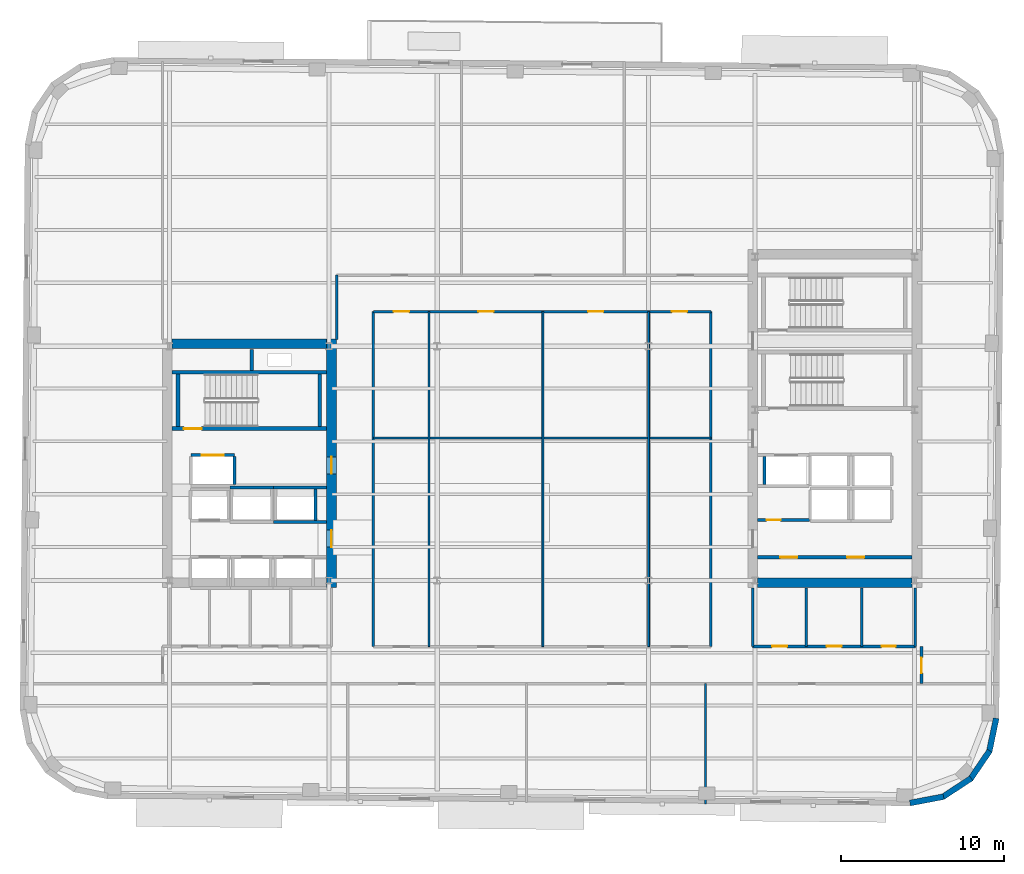
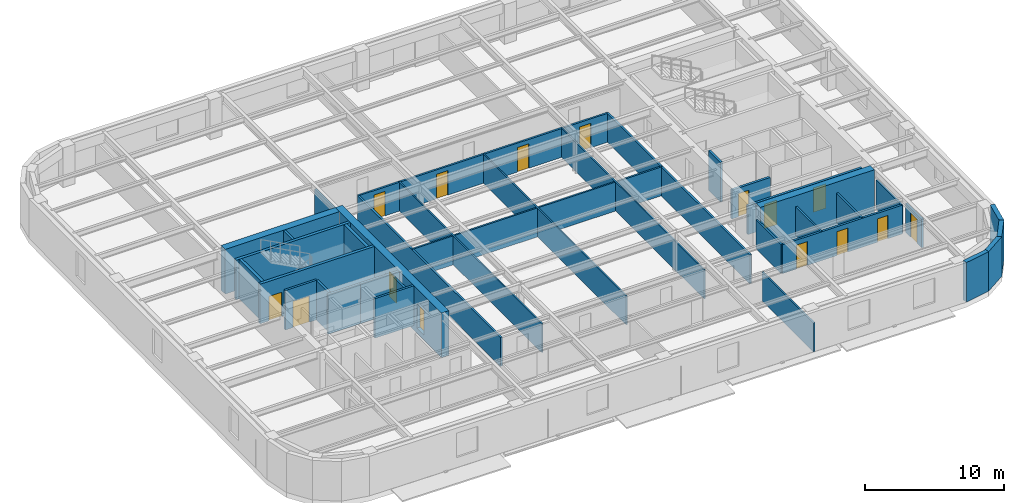
# One storey, part 5 of 11: 36 walls, 15 doors, 15 openings.
"""IFC4 building model written with IfcOpenShell, lengths in metres."""

import ifcopenshell
import ifcopenshell.guid

model = None  # the IFC model being written
_history = None  # IfcOwnerHistory: only IFC2X3 demands one
_inside = {}  # id of a spatial element -> (the spatial element, [elements in it])
_under = {}  # id of a project, library or spatial element -> (it, [spatial elements below it])
_declared = {}  # id of a project -> (the project, [libraries it declares])
_typed = {}  # id of a type object -> (the type object, [elements of that type])
_made_of = {}  # id of a material, layer set ... -> (it, [elements and type objects made of it])


def new_model(schema):
    """Start an empty IFC model of exactly this schema.

    Asked for "IFC4X3", IfcOpenShell would pick the latest addendum, in which some entities
    have other attributes; the version numbers below select the first issue.
    IFC2X3 requires an IfcOwnerHistory on every rooted entity: one is made here for all.
    """
    global model, _history
    if schema == "IFC4X3":
        model = ifcopenshell.file(schema_version=(4, 3, 0, 0))
    else:
        model = ifcopenshell.file(schema=schema)
    _inside.clear()
    _under.clear()
    _declared.clear()
    _typed.clear()
    _made_of.clear()
    _history = None
    if model.schema == "IFC2X3":
        org = make("IfcOrganization", Name="unknown")
        user = make(
            "IfcPersonAndOrganization",
            ThePerson=make("IfcPerson", FamilyName="unknown"),
            TheOrganization=org,
        )
        app = make(
            "IfcApplication",
            ApplicationDeveloper=org,
            Version="unknown",
            ApplicationFullName="unknown",
            ApplicationIdentifier="unknown",
        )
        _history = make(
            "IfcOwnerHistory",
            OwningUser=user,
            OwningApplication=app,
            ChangeAction="ADDED",
            CreationDate=0,
        )
    return model


def make(cls, **values):
    """One entity of the class cls with the attributes given. An attribute that is None is left unset."""
    return model.create_entity(
        cls, **{name: value for name, value in values.items() if value is not None}
    )


def rooted(cls, **values):
    """An entity with a GlobalId (a new one), such as an element, a storey or a relation."""
    return make(cls, GlobalId=ifcopenshell.guid.new(), OwnerHistory=_history, **values)


def si_unit(unit_type, name, prefix=None):
    """IfcSIUnit, for example si_unit("LENGTHUNIT", "METRE", prefix="MILLI")."""
    return make("IfcSIUnit", UnitType=unit_type, Prefix=prefix, Name=name)


def assignment(units):
    """IfcUnitAssignment: the units of a project."""
    return None if units is None else make("IfcUnitAssignment", Units=units)


def point(xyz):
    """IfcCartesianPoint."""
    return None if xyz is None else make("IfcCartesianPoint", Coordinates=xyz)


def direction(xyz):
    """IfcDirection."""
    return None if xyz is None else make("IfcDirection", DirectionRatios=xyz)


def frame(location, z_axis=None, x_axis=None):
    """IfcAxis2Placement3D, a coordinate frame: its origin and axes. An axis left out is left unset."""
    return make(
        "IfcAxis2Placement3D",
        Location=point(location),
        Axis=direction(z_axis),
        RefDirection=direction(x_axis),
    )


def frame_2d(location, x_axis=None):
    """IfcAxis2Placement2D, a coordinate frame in the plane: its origin and x axis."""
    return make(
        "IfcAxis2Placement2D", Location=point(location), RefDirection=direction(x_axis)
    )


def origin():
    """The frame at (0, 0, 0) with its axes left unset."""
    return frame((0.0, 0.0, 0.0))


def place(relative_to, where):
    """IfcLocalPlacement: puts the frame where relative to a parent placement (None: the world)."""
    return make(
        "IfcLocalPlacement", PlacementRelTo=relative_to, RelativePlacement=where
    )


def context(
    kind, dimensions, precision=None, world=None, true_north=None, identifier=None
):
    """IfcGeometricRepresentationContext, for example the 3D "Model" context."""
    return make(
        "IfcGeometricRepresentationContext",
        ContextIdentifier=identifier,
        ContextType=kind,
        CoordinateSpaceDimension=dimensions,
        Precision=precision,
        WorldCoordinateSystem=world,
        TrueNorth=true_north,
    )


def subcontext(parent, identifier, kind, view, scale=None):
    """IfcGeometricRepresentationSubContext, for example "Body" below "Model"."""
    return make(
        "IfcGeometricRepresentationSubContext",
        ContextIdentifier=identifier,
        ContextType=kind,
        ParentContext=parent,
        TargetScale=scale,
        TargetView=view,
    )


def project(units=None, contexts=None):
    """IfcProject with its units and contexts."""
    return rooted(
        "IfcProject",
        Name="project",
        RepresentationContexts=contexts,
        UnitsInContext=assignment(units),
    )


def spatial(cls, under=None, at=None, **own):
    """A site, building, storey or space (cls), placed at a placement, below another one or the project."""
    s = rooted(cls, ObjectPlacement=at, **own)
    if under is not None:
        _under.setdefault(under.id(), (under, []))[1].append(s)
    return s


def profile(cls, at=None, kind="AREA", **sizes):
    """A parametric profile (cls). Its sizes go by their IFC names, for example OverallWidth=200.0."""
    return make(cls, ProfileType=kind, Position=at, **sizes)


def rectangle(**sizes):
    """IfcRectangleProfileDef."""
    return profile("IfcRectangleProfileDef", **sizes)


def extrude(swept, where, along, depth):
    """IfcExtrudedAreaSolid: the profile swept, set in the frame where, extruded along a direction by depth."""
    return make(
        "IfcExtrudedAreaSolid",
        SweptArea=swept,
        Position=where,
        ExtrudedDirection=direction(along),
        Depth=depth,
    )


def shape(context_of_items, identifier, shape_type, items):
    """IfcShapeRepresentation: the items that make up one representation, for example the "Body"."""
    return make(
        "IfcShapeRepresentation",
        ContextOfItems=context_of_items,
        RepresentationIdentifier=identifier,
        RepresentationType=shape_type,
        Items=items,
    )


def material(Name=None, Category=None):
    """IfcMaterial."""
    return make("IfcMaterial", Name=Name, Category=Category)


def layer(
    of_material, thickness, ventilated=None, Name=None, Category=None, Priority=None
):
    """IfcMaterialLayer: one layer of a wall or slab, of a material (None: an air gap)."""
    return make(
        "IfcMaterialLayer",
        Material=of_material,
        LayerThickness=thickness,
        IsVentilated=ventilated,
        Name=Name,
        Category=Category,
        Priority=Priority,
    )


def layer_set(layers, Name=None):
    """IfcMaterialLayerSet."""
    return make("IfcMaterialLayerSet", MaterialLayers=layers, LayerSetName=Name)


def made_of(thing, what):
    """Note that an element or type object is made of a material, layer set ...; save() writes the relation."""
    if what is not None:
        _made_of.setdefault(what.id(), (what, []))[1].append(thing)
    return thing


def type_object(cls, material=None, **own):
    """A type object (cls), such as IfcWallType, which elements share."""
    return made_of(rooted(cls, **own), material)


def element(
    cls,
    number,
    at=None,
    inside=None,
    cuts=None,
    type_object=None,
    material=None,
    context=None,
    identifier="Body",
    shape_type=None,
    held_by="IfcProductDefinitionShape",
    body=None,
    shapes=None,
    **own,
):
    """One element of the class cls, such as IfcWall. Its Tag is "e" and its number.

    at: its placement. inside: the storey or other place that contains it. cuts: it is an
    opening in that element (IfcRelVoidsElement). A single representation is given by context,
    identifier, shape_type and body (its items); several are given by shapes. held_by: the class
    of the entity that holds the representations. save() writes the other relations.
    """
    e = rooted(cls, Tag="e%d" % number, ObjectPlacement=at, **own)
    if body is not None:
        shapes = [shape(context, identifier, shape_type, body)]
    if shapes is not None:
        e.Representation = make(held_by, Representations=shapes)
    if inside is not None:
        _inside.setdefault(inside.id(), (inside, []))[1].append(e)
    if cuts is not None:
        rooted(
            "IfcRelVoidsElement", RelatingBuildingElement=cuts, RelatedOpeningElement=e
        )
    if type_object is not None:
        _typed.setdefault(type_object.id(), (type_object, []))[1].append(e)
    return made_of(e, material)


def fill(opening, filler):
    """IfcRelFillsElement: the door or window that sits in an opening."""
    return rooted(
        "IfcRelFillsElement",
        RelatingOpeningElement=opening,
        RelatedBuildingElement=filler,
    )


def aggregate(whole, parts):
    """IfcRelAggregates: a whole, such as a stair, and the parts it consists of."""
    return rooted("IfcRelAggregates", RelatingObject=whole, RelatedObjects=parts)


def save(model, path):
    """Write the relations noted so far, then the file.

    IfcRelAggregates (storeys below a building ...), IfcRelContainedInSpatialStructure (elements
    in a storey), IfcRelDefinesByType, IfcRelAssociatesMaterial and IfcRelDeclares: one each for
    every whole, place, type object, material and project.
    """
    for whole, parts in _under.values():
        aggregate(whole, parts)
    for where, things in _inside.values():
        rooted(
            "IfcRelContainedInSpatialStructure",
            RelatedElements=things,
            RelatingStructure=where,
        )
    for kind, things in _typed.values():
        rooted("IfcRelDefinesByType", RelatedObjects=things, RelatingType=kind)
    for what, things in _made_of.values():
        rooted("IfcRelAssociatesMaterial", RelatedObjects=things, RelatingMaterial=what)
    for by, libraries in _declared.values():
        rooted("IfcRelDeclares", RelatingContext=by, RelatedDefinitions=libraries)
    model.write(path)


model = new_model("IFC4")

# Units and contexts
model_context = context("Model", 3, precision=1e-05, world=origin(), true_north=direction((0.0, 1.0)))
body_context = subcontext(model_context, "Body", "Model", "MODEL_VIEW")
ifc_project = project(units=[si_unit("LENGTHUNIT", "METRE"), si_unit("AREAUNIT", "SQUARE_METRE"), si_unit("VOLUMEUNIT", "CUBIC_METRE"), si_unit("PLANEANGLEUNIT", "RADIAN"), si_unit("MASSUNIT", "GRAM", prefix="KILO")], contexts=[model_context])

# Site, building, storey
site_placement = place(None, origin())
site = spatial("IfcSite", under=ifc_project, at=site_placement, CompositionType="ELEMENT")
building_placement = place(site_placement, origin())
building = spatial("IfcBuilding", under=site, at=building_placement, Name="Kolvaren Arena Tower", CompositionType="ELEMENT")
storey_placement = place(building_placement, frame((0.0, 0.0, 158.449951171875)))
storey = spatial("IfcBuildingStorey", under=building, at=storey_placement, Name="L37", CompositionType="ELEMENT", Elevation=158.449951171875)

# Wall
ifc_material_1 = material(Name="Gypsum board acoustic assembly", Category="gypsum")
ifc_layer_1 = layer(ifc_material_1, 0.159912109375)
ifc_layer_set_1 = layer_set([ifc_layer_1], Name="Gypsum board acoustic assembly")
wall_type_1 = type_object("IfcWallType", Name="CORR-160", PredefinedType="PARTITIONING", material=ifc_layer_set_1)
wall_1_placement = place(storey_placement, frame((24.820068359375, 34.25, 0.0), z_axis=(0.0, 0.0, 1.0), x_axis=(0.0, 1.0, 0.0)))
element("IfcWall", 1, at=wall_1_placement, inside=storey, type_object=wall_type_1, Name="Interior Partition Wall (L37)", PredefinedType="PARTITIONING", context=body_context, shape_type="SweptSolid", body=[
    extrude(rectangle(XDim=3.969970703125, YDim=0.159912109375, at=frame_2d((1.98486328125, 0.0))), origin(), (0.0, 0.0, 1.0), 2.5400390625),
])

# Wall, openings, doors
wall_2_placement = place(storey_placement, frame((27.080078125, 35.97998046875, 0.0), z_axis=(0.0, 0.0, 1.0), x_axis=(1.0, 0.0, 0.0)))
wall_2 = element("IfcWall", 2, at=wall_2_placement, inside=storey, type_object=wall_type_1, Name="Interior Partition Wall (L37)", PredefinedType="PARTITIONING", context=body_context, shape_type="SweptSolid", body=[
    extrude(rectangle(XDim=20.739990234375, YDim=0.159912109375, at=frame_2d((10.3701171875, 0.0))), origin(), (0.0, 0.0, 1.0), 2.5400390625),
])
opening_1_placement = place(wall_2_placement, frame((1.2451171875, 0.0, 0.0)))
opening_1 = element("IfcOpeningElement", 3, at=opening_1_placement, cuts=wall_2, Name="Opening D05", PredefinedType="OPENING", context=body_context, shape_type="SweptSolid", body=[
    extrude(rectangle(XDim=0.949951171875, YDim=2.14990234375, at=frame_2d((0.47509765625, 1.074951171875))), frame((0.0, 0.08984375, 0.0), z_axis=(0.0, -1.0, 0.0), x_axis=(1.0, 0.0, 0.0)), (0.0, 0.0, 1.0), 0.179931640625),
])
opening_2_placement = place(wall_2_placement, frame((6.445068359375, 0.0, 0.0)))
opening_2 = element("IfcOpeningElement", 4, at=opening_2_placement, cuts=wall_2, Name="Opening D05", PredefinedType="OPENING", context=body_context, shape_type="SweptSolid", body=[
    extrude(rectangle(XDim=0.949951171875, YDim=2.14990234375, at=frame_2d((0.47509765625, 1.074951171875))), frame((0.0, 0.08984375, 0.0), z_axis=(0.0, -1.0, 0.0), x_axis=(1.0, 0.0, 0.0)), (0.0, 0.0, 1.0), 0.179931640625),
])
opening_3_placement = place(wall_2_placement, frame((13.195068359375, 0.0, 0.0)))
opening_3 = element("IfcOpeningElement", 5, at=opening_3_placement, cuts=wall_2, Name="Opening D05", PredefinedType="OPENING", context=body_context, shape_type="SweptSolid", body=[
    extrude(rectangle(XDim=0.949951171875, YDim=2.14990234375, at=frame_2d((0.47509765625, 1.074951171875))), frame((0.0, 0.08984375, 0.0), z_axis=(0.0, -1.0, 0.0), x_axis=(1.0, 0.0, 0.0)), (0.0, 0.0, 1.0), 0.179931640625),
])
opening_4_placement = place(wall_2_placement, frame((18.344970703125, 0.0, 0.0)))
opening_4 = element("IfcOpeningElement", 6, at=opening_4_placement, cuts=wall_2, Name="Opening D05", PredefinedType="OPENING", context=body_context, shape_type="SweptSolid", body=[
    extrude(rectangle(XDim=0.949951171875, YDim=2.14990234375, at=frame_2d((0.47509765625, 1.074951171875))), frame((0.0, 0.08984375, 0.0), z_axis=(0.0, -1.0, 0.0), x_axis=(1.0, 0.0, 0.0)), (0.0, 0.0, 1.0), 0.179931640625),
])
ifc_material_2 = material(Name="Solid-core oak acoustic office door", Category="wood")
door_type_1 = type_object("IfcDoorType", Name="DOOR-OF-095", OperationType="NOTDEFINED", PredefinedType="DOOR", material=ifc_material_2)
door_1_placement = place(opening_1_placement, origin())
door_1 = element("IfcDoor", 7, at=door_1_placement, inside=storey, type_object=door_type_1, Name="Open Plan Office Door (L37)", OperationType="SINGLE_SWING_RIGHT", OverallHeight=2.14990234375, OverallWidth=0.949951171875, PredefinedType="DOOR", context=body_context, shape_type="SweptSolid", body=[
    extrude(rectangle(XDim=0.949951171875, YDim=2.14990234375, at=frame_2d((0.47509765625, 1.074951171875))), frame((0.0, 0.02490234375, 0.0), z_axis=(0.0, -1.0, 0.0), x_axis=(1.0, 0.0, 0.0)), (0.0, 0.0, 1.0), 0.050048828125),
])
fill(opening_1, door_1)
door_2_placement = place(opening_2_placement, origin())
door_2 = element("IfcDoor", 8, at=door_2_placement, inside=storey, type_object=door_type_1, Name="Design Studio Door (L37)", OperationType="SINGLE_SWING_RIGHT", OverallHeight=2.14990234375, OverallWidth=0.949951171875, PredefinedType="DOOR", context=body_context, shape_type="SweptSolid", body=[
    extrude(rectangle(XDim=0.949951171875, YDim=2.14990234375, at=frame_2d((0.47509765625, 1.074951171875))), frame((0.0, 0.02490234375, 0.0), z_axis=(0.0, -1.0, 0.0), x_axis=(1.0, 0.0, 0.0)), (0.0, 0.0, 1.0), 0.050048828125),
])
fill(opening_2, door_2)
door_3_placement = place(opening_3_placement, origin())
door_3 = element("IfcDoor", 9, at=door_3_placement, inside=storey, type_object=door_type_1, Name="Breakout Pantry and Kitchen Door (L37)", OperationType="SINGLE_SWING_RIGHT", OverallHeight=2.14990234375, OverallWidth=0.949951171875, PredefinedType="DOOR", context=body_context, shape_type="SweptSolid", body=[
    extrude(rectangle(XDim=0.949951171875, YDim=2.14990234375, at=frame_2d((0.47509765625, 1.074951171875))), frame((0.0, 0.02490234375, 0.0), z_axis=(0.0, -1.0, 0.0), x_axis=(1.0, 0.0, 0.0)), (0.0, 0.0, 1.0), 0.050048828125),
])
fill(opening_3, door_3)
door_4_placement = place(opening_4_placement, origin())
door_4 = element("IfcDoor", 10, at=door_4_placement, inside=storey, type_object=door_type_1, Name="Open Plan Office Door (L37)", OperationType="SINGLE_SWING_RIGHT", OverallHeight=2.14990234375, OverallWidth=0.949951171875, PredefinedType="DOOR", context=body_context, shape_type="SweptSolid", body=[
    extrude(rectangle(XDim=0.949951171875, YDim=2.14990234375, at=frame_2d((0.47509765625, 1.074951171875))), frame((0.0, 0.02490234375, 0.0), z_axis=(0.0, -1.0, 0.0), x_axis=(1.0, 0.0, 0.0)), (0.0, 0.0, 1.0), 0.050048828125),
])
fill(opening_4, door_4)

# Walls
for number, where, z_axis, x_axis, name in (
    (11, (27.080078125, 15.3798828125, 0.0), (0.0, 0.0, 1.0), (0.0, 1.0, 0.0), "Interior Partition Wall (L37)"),
    (12, (47.820068359375, 15.3798828125, 0.0), (0.0, 0.0, 1.0), (0.0, 1.0, 0.0), "Interior Partition Wall (L37)"),
):
    element("IfcWall", number, at=place(storey_placement, frame(where, z_axis=z_axis, x_axis=x_axis)), inside=storey, type_object=wall_type_1, Name=name, PredefinedType="PARTITIONING", context=body_context, shape_type="SweptSolid", body=[
        extrude(rectangle(XDim=20.60009765625, YDim=0.159912109375, at=frame_2d((10.300048828125, 0.0))), origin(), (0.0, 0.0, 1.0), 2.5400390625),
    ])

# Wall, opening, door
wall_3_placement = place(storey_placement, frame((60.780029296875, 13.10009765625, 0.0), z_axis=(0.0, 0.0, 1.0), x_axis=(0.0, 1.0, 0.0)))
wall_3 = element("IfcWall", 13, at=wall_3_placement, inside=storey, type_object=wall_type_1, Name="Interior Partition Wall (L37)", PredefinedType="PARTITIONING", context=body_context, shape_type="SweptSolid", body=[
    extrude(rectangle(XDim=2.2998046875, YDim=0.159912109375, at=frame_2d((1.14990234375, 0.0))), origin(), (0.0, 0.0, 1.0), 2.5400390625),
])
opening_5_placement = place(wall_3_placement, frame((0.64990234375, 0.0, 0.0)))
opening_5 = element("IfcOpeningElement", 14, at=opening_5_placement, cuts=wall_3, Name="Opening D05", PredefinedType="OPENING", context=body_context, shape_type="SweptSolid", body=[
    extrude(rectangle(XDim=0.949951171875, YDim=2.14990234375, at=frame_2d((0.47509765625, 1.074951171875))), frame((0.0, 0.08984375, 0.0), z_axis=(0.0, -1.0, 0.0), x_axis=(1.0, 0.0, 0.0)), (0.0, 0.0, 1.0), 0.179931640625),
])
door_5_placement = place(opening_5_placement, origin())
door_5 = element("IfcDoor", 15, at=door_5_placement, inside=storey, type_object=door_type_1, Name="East Wing Studio Door (L37)", OperationType="SINGLE_SWING_RIGHT", OverallHeight=2.14990234375, OverallWidth=0.949951171875, PredefinedType="DOOR", context=body_context, shape_type="SweptSolid", body=[
    extrude(rectangle(XDim=0.949951171875, YDim=2.14990234375, at=frame_2d((0.47509765625, 1.074951171875))), frame((0.0, 0.02490234375, 0.0), z_axis=(0.0, -1.0, 0.0), x_axis=(1.0, 0.0, 0.0)), (0.0, 0.0, 1.0), 0.050048828125),
])
fill(opening_5, door_5)

# Wall, openings, doors
ifc_material_3 = material(Name="Concrete 60 MPa", Category="concrete")
ifc_layer_2 = layer(ifc_material_3, 0.60009765625)
ifc_layer_set_2 = layer_set([ifc_layer_2], Name="Concrete 60 MPa")
wall_type_2 = type_object("IfcWallType", Name="CWALL-600", PredefinedType="SHEAR", material=ifc_layer_set_2)
wall_4_placement = place(storey_placement, frame((24.5, 19.0, -0.449951171875), z_axis=(0.0, 0.0, 1.0), x_axis=(0.0, 1.0, 0.0)))
wall_4 = element("IfcWall", 16, at=wall_4_placement, inside=storey, type_object=wall_type_2, Name="Core Shear Wall WC-EAST (L37)", PredefinedType="SHEAR", context=body_context, shape_type="SweptSolid", body=[
    extrude(rectangle(XDim=15.300048828125, YDim=0.60009765625, at=frame_2d((7.64990234375, 0.0))), origin(), (0.0, 0.0, 1.0), 3.929931640625),
])
opening_6_placement = place(wall_4_placement, frame((2.5, 0.0, 0.449951171875)))
opening_6 = element("IfcOpeningElement", 17, at=opening_6_placement, cuts=wall_4, Name="Opening D04", PredefinedType="OPENING", context=body_context, shape_type="SweptSolid", body=[
    extrude(rectangle(XDim=1.050048828125, YDim=2.14990234375, at=frame_2d((0.52490234375, 1.074951171875))), frame((0.0, 0.31005859375, 0.0), z_axis=(0.0, -1.0, 0.0), x_axis=(1.0, 0.0, 0.0)), (0.0, 0.0, 1.0), 0.6201171875),
])
opening_7_placement = place(wall_4_placement, frame((7.0, 0.0, 0.449951171875)))
opening_7 = element("IfcOpeningElement", 18, at=opening_7_placement, cuts=wall_4, Name="Opening D04", PredefinedType="OPENING", context=body_context, shape_type="SweptSolid", body=[
    extrude(rectangle(XDim=1.050048828125, YDim=2.14990234375, at=frame_2d((0.52490234375, 1.074951171875))), frame((0.0, 0.31005859375, 0.0), z_axis=(0.0, -1.0, 0.0), x_axis=(1.0, 0.0, 0.0)), (0.0, 0.0, 1.0), 0.6201171875),
])
ifc_material_4 = material(Name="Fire-rated steel lobby door", Category="steel")
door_type_2 = type_object("IfcDoorType", Name="DOOR-FF-105", OperationType="NOTDEFINED", PredefinedType="DOOR", material=ifc_material_4)
door_6_placement = place(opening_6_placement, origin())
door_6 = element("IfcDoor", 19, at=door_6_placement, inside=storey, type_object=door_type_2, Name="West Lift Lobby Fire Door (L37)", OperationType="SINGLE_SWING_LEFT", OverallHeight=2.14990234375, OverallWidth=1.050048828125, PredefinedType="DOOR", context=body_context, shape_type="SweptSolid", body=[
    extrude(rectangle(XDim=1.050048828125, YDim=2.14990234375, at=frame_2d((0.52490234375, 1.074951171875))), frame((0.0, 0.02490234375, 0.0), z_axis=(0.0, -1.0, 0.0), x_axis=(1.0, 0.0, 0.0)), (0.0, 0.0, 1.0), 0.050048828125),
])
fill(opening_6, door_6)
door_7_placement = place(opening_7_placement, origin())
door_7 = element("IfcDoor", 20, at=door_7_placement, inside=storey, type_object=door_type_2, Name="West Firefighter Vestibule Door (L37)", OperationType="SINGLE_SWING_RIGHT", OverallHeight=2.14990234375, OverallWidth=1.050048828125, PredefinedType="DOOR", context=body_context, shape_type="SweptSolid", body=[
    extrude(rectangle(XDim=1.050048828125, YDim=2.14990234375, at=frame_2d((0.52490234375, 1.074951171875))), frame((0.0, 0.02490234375, 0.0), z_axis=(0.0, -1.0, 0.0), x_axis=(1.0, 0.0, 0.0)), (0.0, 0.0, 1.0), 0.050048828125),
])
fill(opening_7, door_7)

# Walls
for number, where, z_axis, x_axis, name in (
    (21, (14.699951171875, 34.0, -0.449951171875), (0.0, 0.0, 1.0), (1.0, 0.0, 0.0), "Core Shear Wall WC-NORTH (L37)"),
    (22, (50.699951171875, 19.300048828125, -0.449951171875), (0.0, 0.0, 1.0), (1.0, 0.0, 0.0), "Core Shear Wall EC-SOUTH (L37)"),
):
    element("IfcWall", number, at=place(storey_placement, frame(where, z_axis=z_axis, x_axis=x_axis)), inside=storey, type_object=wall_type_2, Name=name, PredefinedType="SHEAR", context=body_context, shape_type="SweptSolid", body=[
        extrude(rectangle(XDim=9.5, YDim=0.60009765625, at=frame_2d((4.75, 0.0))), origin(), (0.0, 0.0, 1.0), 3.929931640625),
    ])
ifc_material_5 = material(Name="Precast concrete C50/60", Category="concrete")
ifc_layer_3 = layer(ifc_material_5, 0.360107421875)
ifc_layer_set_3 = layer_set([ifc_layer_3], Name="Precast concrete C50/60")
wall_type_3 = type_object("IfcWallType", Name="EXT-PIER2", PredefinedType="SOLIDWALL", material=ifc_layer_set_3)
wall_5_placement = place(storey_placement, frame((62.136474609375, 6.155029296875, 0.0), z_axis=(0.0, 0.0, 1.0), x_axis=(-0.98246713518, -0.186435855703, 0.0)))
element("IfcWall", 23, at=wall_5_placement, inside=storey, type_object=wall_type_3, Name="Exterior Precast Masonry-Frame Wall (L37)", PredefinedType="SOLIDWALL", context=body_context, shape_type="SweptSolid", body=[
    extrude(rectangle(XDim=2.10693359375, YDim=0.360107421875, at=frame_2d((1.053466796875, 0.0))), origin(), (0.0, 0.0, 1.0), 3.47998046875),
])
wall_6_placement = place(storey_placement, frame((63.83349609375, 7.2841796875, 0.0), z_axis=(0.0, 0.0, 1.0), x_axis=(-0.836303589916, -0.548266637224, 0.0)))
element("IfcWall", 24, at=wall_6_placement, inside=storey, type_object=wall_type_3, Name="Exterior Precast Masonry-Frame Wall (L37)", PredefinedType="SOLIDWALL", context=body_context, shape_type="SweptSolid", body=[
    extrude(rectangle(XDim=2.107177734375, YDim=0.360107421875, at=frame_2d((1.0537109375, 0.0))), origin(), (0.0, 0.0, 1.0), 3.47998046875),
])
for number, where, z_axis, x_axis, name in (
    (25, (64.968994140625, 8.9765625, 0.0), (0.0, 0.0, 1.0), (-0.56277581689, -0.826609569219, 0.0), "Exterior Precast Masonry-Frame Wall (L37)"),
    (26, (65.370849609375, 10.974609375, 0.0), (0.0, 0.0, 1.0), (-0.203709000552, -0.979031482177, 0.0), "Exterior Precast Masonry-Frame Wall (L37)"),
):
    element("IfcWall", number, at=place(storey_placement, frame(where, z_axis=z_axis, x_axis=x_axis)), inside=storey, type_object=wall_type_3, Name=name, PredefinedType="SOLIDWALL", context=body_context, shape_type="SweptSolid", body=[
        extrude(rectangle(XDim=2.10693359375, YDim=0.360107421875, at=frame_2d((1.053466796875, 0.0))), origin(), (0.0, 0.0, 1.0), 3.47998046875),
    ])

# Wall, openings, doors
ifc_material_6 = material(Name="Concrete 40 MPa", Category="concrete")
ifc_layer_4 = layer(ifc_material_6, 0.199951171875)
ifc_layer_set_4 = layer_set([ifc_layer_4], Name="Concrete 40 MPa")
wall_type_4 = type_object("IfcWallType", Name="LOBBY-200", PredefinedType="SOLIDWALL", material=ifc_layer_set_4)
wall_7_placement = place(storey_placement, frame((50.699951171875, 20.8798828125, 0.0), z_axis=(0.0, 0.0, 1.0), x_axis=(1.0, 0.0, 0.0)))
wall_7 = element("IfcWall", 27, at=wall_7_placement, inside=storey, type_object=wall_type_4, Name="Core Shaft Wall (L37)", PredefinedType="SOLIDWALL", context=body_context, shape_type="SweptSolid", body=[
    extrude(rectangle(XDim=9.5, YDim=0.199951171875, at=frame_2d((4.75, 0.0))), origin(), (0.0, 0.0, 1.0), 2.5400390625),
])
opening_8_placement = place(wall_7_placement, frame((1.39990234375, 0.0, 0.0)))
opening_8 = element("IfcOpeningElement", 28, at=opening_8_placement, cuts=wall_7, Name="Opening D04", PredefinedType="OPENING", context=body_context, shape_type="SweptSolid", body=[
    extrude(rectangle(XDim=1.050048828125, YDim=2.14990234375, at=frame_2d((0.52490234375, 1.074951171875))), frame((0.0, 0.10986328125, 0.0), z_axis=(0.0, -1.0, 0.0), x_axis=(1.0, 0.0, 0.0)), (0.0, 0.0, 1.0), 0.219970703125),
])
opening_9_placement = place(wall_7_placement, frame((5.5, 0.0, 0.0)))
opening_9 = element("IfcOpeningElement", 29, at=opening_9_placement, cuts=wall_7, Name="Opening D04", PredefinedType="OPENING", context=body_context, shape_type="SweptSolid", body=[
    extrude(rectangle(XDim=1.050048828125, YDim=2.14990234375, at=frame_2d((0.52490234375, 1.074951171875))), frame((0.0, 0.10986328125, 0.0), z_axis=(0.0, -1.0, 0.0), x_axis=(1.0, 0.0, 0.0)), (0.0, 0.0, 1.0), 0.219970703125),
])
door_8_placement = place(opening_8_placement, origin())
door_8 = element("IfcDoor", 30, at=door_8_placement, inside=storey, type_object=door_type_2, Name="East Telecom Room Fire Door (L37)", OperationType="SINGLE_SWING_RIGHT", OverallHeight=2.14990234375, OverallWidth=1.050048828125, PredefinedType="DOOR", context=body_context, shape_type="SweptSolid", body=[
    extrude(rectangle(XDim=1.050048828125, YDim=2.14990234375, at=frame_2d((0.52490234375, 1.074951171875))), frame((0.0, 0.02490234375, 0.0), z_axis=(0.0, -1.0, 0.0), x_axis=(1.0, 0.0, 0.0)), (0.0, 0.0, 1.0), 0.050048828125),
])
fill(opening_8, door_8)
door_9_placement = place(opening_9_placement, origin())
door_9 = element("IfcDoor", 31, at=door_9_placement, inside=storey, type_object=door_type_2, Name="East Records Room Fire Door (L37)", OperationType="SINGLE_SWING_LEFT", OverallHeight=2.14990234375, OverallWidth=1.050048828125, PredefinedType="DOOR", context=body_context, shape_type="SweptSolid", body=[
    extrude(rectangle(XDim=1.050048828125, YDim=2.14990234375, at=frame_2d((0.52490234375, 1.074951171875))), frame((0.0, 0.02490234375, 0.0), z_axis=(0.0, -1.0, 0.0), x_axis=(1.0, 0.0, 0.0)), (0.0, 0.0, 1.0), 0.050048828125),
])
fill(opening_9, door_9)

# Wall, opening, door
wall_8_placement = place(storey_placement, frame((50.699951171875, 23.159912109375, 0.0), z_axis=(0.0, 0.0, 1.0), x_axis=(1.0, 0.0, 0.0)))
wall_8 = element("IfcWall", 32, at=wall_8_placement, inside=storey, type_object=wall_type_4, Name="Core Shaft Wall (L37)", PredefinedType="SOLIDWALL", context=body_context, shape_type="SweptSolid", body=[
    extrude(rectangle(XDim=3.179931640625, YDim=0.199951171875, at=frame_2d((1.58984375, 0.0))), origin(), (0.0, 0.0, 1.0), 2.5400390625),
])
opening_10_placement = place(wall_8_placement, frame((0.550048828125, 0.0, 0.0)))
opening_10 = element("IfcOpeningElement", 33, at=opening_10_placement, cuts=wall_8, Name="Opening D09", PredefinedType="OPENING", context=body_context, shape_type="SweptSolid", body=[
    extrude(rectangle(XDim=0.860107421875, YDim=2.050048828125, at=frame_2d((0.43017578125, 1.02490234375))), frame((0.0, 0.10986328125, 0.0), z_axis=(0.0, -1.0, 0.0), x_axis=(1.0, 0.0, 0.0)), (0.0, 0.0, 1.0), 0.219970703125),
])
ifc_material_7 = material(Name="Fire-rated steel riser access door", Category="steel")
door_type_3 = type_object("IfcDoorType", Name="DOOR-RS-086", OperationType="NOTDEFINED", PredefinedType="DOOR", material=ifc_material_7)
door_10_placement = place(opening_10_placement, origin())
door_10 = element("IfcDoor", 34, at=door_10_placement, inside=storey, type_object=door_type_3, Name="East AV Riser Closet Door (L37)", OperationType="SINGLE_SWING_LEFT", OverallHeight=2.050048828125, OverallWidth=0.860107421875, PredefinedType="DOOR", context=body_context, shape_type="SweptSolid", body=[
    extrude(rectangle(XDim=0.860107421875, YDim=2.050048828125, at=frame_2d((0.43017578125, 1.02490234375))), frame((0.0, 0.02490234375, 0.0), z_axis=(0.0, -1.0, 0.0), x_axis=(1.0, 0.0, 0.0)), (0.0, 0.0, 1.0), 0.050048828125),
])
fill(opening_10, door_10)

# Walls
ifc_material_8 = material(Name="Gypsum board partition assembly", Category="gypsum")
ifc_layer_5 = layer(ifc_material_8, 0.114990234375)
ifc_layer_set_5 = layer_set([ifc_layer_5], Name="Gypsum board partition assembly")
wall_type_5 = type_object("IfcWallType", Name="PART-115", PredefinedType="PARTITIONING", material=ifc_layer_set_5)
for number, where, z_axis, x_axis, name in (
    (35, (30.5, 15.3798828125, 0.0), (0.0, 0.0, 1.0), (0.0, 1.0, 0.0), "Interior Partition Wall (L37)"),
    (36, (37.5, 15.3798828125, 0.0), (0.0, 0.0, 1.0), (0.0, 1.0, 0.0), "Interior Partition Wall (L37)"),
    (37, (44.0, 15.3798828125, 0.0), (0.0, 0.0, 1.0), (0.0, 1.0, 0.0), "Interior Partition Wall (L37)"),
):
    element("IfcWall", number, at=place(storey_placement, frame(where, z_axis=z_axis, x_axis=x_axis)), inside=storey, type_object=wall_type_5, Name=name, PredefinedType="PARTITIONING", context=body_context, shape_type="SweptSolid", body=[
        extrude(rectangle(XDim=20.60009765625, YDim=0.114990234375, at=frame_2d((10.300048828125, 0.0))), origin(), (0.0, 0.0, 1.0), 2.5400390625),
    ])
ifc_layer_6 = layer(ifc_material_8, 0.135009765625)
ifc_layer_set_6 = layer_set([ifc_layer_6], Name="Gypsum board partition assembly")
wall_type_6 = type_object("IfcWallType", Name="PART-135", PredefinedType="PARTITIONING", material=ifc_layer_set_6)
wall_9_placement = place(storey_placement, frame((47.5, 5.6953125, 0.0), z_axis=(0.0, 0.0, 1.0), x_axis=(0.0, 1.0, 0.0)))
element("IfcWall", 38, at=wall_9_placement, inside=storey, type_object=wall_type_6, Name="Interior Partition Wall (L37)", PredefinedType="PARTITIONING", context=body_context, shape_type="SweptSolid", body=[
    extrude(rectangle(XDim=7.40478515625, YDim=0.135009765625, at=frame_2d((3.702392578125, 0.0))), origin(), (0.0, 0.0, 1.0), 2.5400390625),
])
wall_10_placement = place(storey_placement, frame((27.080078125, 28.199951171875, 0.0), z_axis=(0.0, 0.0, 1.0), x_axis=(1.0, 0.0, 0.0)))
element("IfcWall", 39, at=wall_10_placement, inside=storey, type_object=wall_type_6, Name="Interior Partition Wall (L37)", PredefinedType="PARTITIONING", context=body_context, shape_type="SweptSolid", body=[
    extrude(rectangle(XDim=20.739990234375, YDim=0.135009765625, at=frame_2d((10.3701171875, 0.0))), origin(), (0.0, 0.0, 1.0), 2.5400390625),
])

# Wall, opening, door
ifc_material_9 = material(Name="Concrete 45 MPa", Category="concrete")
ifc_layer_7 = layer(ifc_material_9, 0.25)
ifc_layer_set_7 = layer_set([ifc_layer_7], Name="Concrete 45 MPa")
wall_type_7 = type_object("IfcWallType", Name="SHAFT-250", PredefinedType="SOLIDWALL", material=ifc_layer_set_7)
wall_11_placement = place(storey_placement, frame((24.199951171875, 28.780029296875, 0.0), z_axis=(0.0, 0.0, 1.0), x_axis=(-1.0, 0.0, 0.0)))
wall_11 = element("IfcWall", 40, at=wall_11_placement, inside=storey, type_object=wall_type_7, Name="Core Shaft Wall (L37)", PredefinedType="SOLIDWALL", context=body_context, shape_type="SweptSolid", body=[
    extrude(rectangle(XDim=9.5, YDim=0.239990234375, at=frame_2d((4.75, 0.0))), origin(), (0.0, 0.0, 1.0), 3.47998046875),
])
opening_11_placement = place(wall_11_placement, frame((7.679931640625, 0.0, 0.0)))
opening_11 = element("IfcOpeningElement", 41, at=opening_11_placement, cuts=wall_11, Name="Opening D03", PredefinedType="OPENING", context=body_context, shape_type="SweptSolid", body=[
    extrude(rectangle(XDim=1.10009765625, YDim=2.14990234375, at=frame_2d((0.550048828125, 1.074951171875))), frame((0.0, 0.1298828125, 0.0), z_axis=(0.0, -1.0, 0.0), x_axis=(1.0, 0.0, 0.0)), (0.0, 0.0, 1.0), 0.260009765625),
])
ifc_material_10 = material(Name="Fire-rated steel exit stair door", Category="steel")
door_type_4 = type_object("IfcDoorType", Name="DOOR-ST-110", OperationType="NOTDEFINED", PredefinedType="DOOR", material=ifc_material_10)
door_11_placement = place(opening_11_placement, origin())
door_11 = element("IfcDoor", 42, at=door_11_placement, inside=storey, type_object=door_type_4, Name="Stair ST-W1 Fire Door (L37)", OperationType="SINGLE_SWING_RIGHT", OverallHeight=2.14990234375, OverallWidth=1.10009765625, PredefinedType="DOOR", context=body_context, shape_type="SweptSolid", body=[
    extrude(rectangle(XDim=1.10009765625, YDim=2.14990234375, at=frame_2d((0.550048828125, 1.074951171875))), frame((0.0, 0.02490234375, 0.0), z_axis=(0.0, -1.0, 0.0), x_axis=(1.0, 0.0, 0.0)), (0.0, 0.0, 1.0), 0.050048828125),
])
fill(opening_11, door_11)

# Walls
wall_12_placement = place(storey_placement, frame((14.699951171875, 32.25, 0.0), z_axis=(0.0, 0.0, 1.0), x_axis=(1.0, 0.0, 0.0)))
element("IfcWall", 43, at=wall_12_placement, inside=storey, type_object=wall_type_7, Name="Core Shaft Wall (L37)", PredefinedType="SOLIDWALL", context=body_context, shape_type="SweptSolid", body=[
    extrude(rectangle(XDim=9.5, YDim=0.239990234375, at=frame_2d((4.75, 0.0))), origin(), (0.0, 0.0, 1.0), 3.47998046875),
])
for number, where, z_axis, x_axis, name in (
    (44, (15.06005859375, 28.89990234375, 0.0), (0.0, 0.0, 1.0), (0.0, 1.0, 0.0), "Core Shaft Wall (L37)"),
    (45, (23.780029296875, 28.89990234375, 0.0), (0.0, 0.0, 1.0), (0.0, 1.0, 0.0), "Core Shaft Wall (L37)"),
):
    element("IfcWall", number, at=place(storey_placement, frame(where, z_axis=z_axis, x_axis=x_axis)), inside=storey, type_object=wall_type_7, Name=name, PredefinedType="SOLIDWALL", context=body_context, shape_type="SweptSolid", body=[
        extrude(rectangle(XDim=3.22998046875, YDim=0.239990234375, at=frame_2d((1.614990234375, 0.0))), origin(), (0.0, 0.0, 1.0), 3.47998046875),
    ])
wall_13_placement = place(storey_placement, frame((19.60009765625, 32.3701171875, 0.0), z_axis=(0.0, 0.0, 1.0), x_axis=(0.0, 1.0, 0.0)))
element("IfcWall", 46, at=wall_13_placement, inside=storey, type_object=wall_type_7, Name="Core Shaft Wall (L37)", PredefinedType="SOLIDWALL", context=body_context, shape_type="SweptSolid", body=[
    extrude(rectangle(XDim=1.27978515625, YDim=0.199951171875, at=frame_2d((0.639892578125, 0.0))), origin(), (0.0, 0.0, 1.0), 3.47998046875),
])
wall_14_placement = place(storey_placement, frame((51.1298828125, 25.3349609375, 0.0), z_axis=(0.0, 0.0, 1.0), x_axis=(0.0, 1.0, 0.0)))
element("IfcWall", 47, at=wall_14_placement, inside=storey, type_object=wall_type_7, Name="Core Shaft Wall (L37)", PredefinedType="SOLIDWALL", context=body_context, shape_type="SweptSolid", body=[
    extrude(rectangle(XDim=1.72998046875, YDim=0.179931640625, at=frame_2d((0.864990234375, 0.0))), origin(), (0.0, 0.0, 1.0), 3.47998046875),
])
wall_15_placement = place(storey_placement, frame((18.262451171875, 25.155029296875, 0.0), z_axis=(0.0, 0.0, 1.0), x_axis=(1.0, 0.0, 0.0)))
element("IfcWall", 48, at=wall_15_placement, inside=storey, type_object=wall_type_7, Name="Core Shaft Wall (L37)", PredefinedType="SOLIDWALL", context=body_context, shape_type="SweptSolid", body=[
    extrude(rectangle(XDim=2.6875, YDim=0.179931640625, at=frame_2d((1.34375, 0.0))), origin(), (0.0, 0.0, 1.0), 3.47998046875),
])
for number, where, z_axis, x_axis, name in (
    (49, (20.949951171875, 25.155029296875, 0.0), (0.0, 0.0, 1.0), (1.0, 0.0, 0.0), "Core Shaft Wall (L37)"),
    (50, (20.949951171875, 23.044921875, 0.0), (0.0, 0.0, 1.0), (1.0, 0.0, 0.0), "Core Shaft Wall (L37)"),
):
    element("IfcWall", number, at=place(storey_placement, frame(where, z_axis=z_axis, x_axis=x_axis)), inside=storey, type_object=wall_type_7, Name=name, PredefinedType="SOLIDWALL", context=body_context, shape_type="SweptSolid", body=[
        extrude(rectangle(XDim=3.25, YDim=0.179931640625, at=frame_2d((1.625, 0.0))), origin(), (0.0, 0.0, 1.0), 3.47998046875),
    ])
wall_16_placement = place(storey_placement, frame((23.530029296875, 23.135009765625, 0.0), z_axis=(0.0, 0.0, 1.0), x_axis=(0.0, 1.0, 0.0)))
element("IfcWall", 51, at=wall_16_placement, inside=storey, type_object=wall_type_7, Name="Core Shaft Wall (L37)", PredefinedType="SOLIDWALL", context=body_context, shape_type="SweptSolid", body=[
    extrude(rectangle(XDim=1.929931640625, YDim=0.179931640625, at=frame_2d((0.96484375, 0.0))), origin(), (0.0, 0.0, 1.0), 3.47998046875),
])

# Wall, opening, door
wall_17_placement = place(storey_placement, frame((15.8701171875, 27.155029296875, 0.0), z_axis=(0.0, 0.0, 1.0), x_axis=(1.0, 0.0, 0.0)))
wall_17 = element("IfcWall", 52, at=wall_17_placement, inside=storey, type_object=wall_type_7, Name="Core Shaft Wall (L37)", PredefinedType="SOLIDWALL", context=body_context, shape_type="SweptSolid", body=[
    extrude(rectangle(XDim=2.659912109375, YDim=0.179931640625, at=frame_2d((1.330078125, 0.0))), origin(), (0.0, 0.0, 1.0), 3.47998046875),
])
opening_12_placement = place(wall_17_placement, frame((0.655029296875, 0.0, 0.0)))
opening_12 = element("IfcOpeningElement", 53, at=opening_12_placement, cuts=wall_17, Name="Opening LD2", PredefinedType="OPENING", context=body_context, shape_type="SweptSolid", body=[
    extrude(rectangle(XDim=1.35009765625, YDim=2.300048828125, at=frame_2d((0.675048828125, 1.14990234375))), frame((0.0, 0.099853515625, 0.0), z_axis=(0.0, -1.0, 0.0), x_axis=(1.0, 0.0, 0.0)), (0.0, 0.0, 1.0), 0.199951171875),
])
ifc_material_11 = material(Name="Stainless steel firefighter lift landing door", Category="steel")
door_type_5 = type_object("IfcDoorType", Name="DOOR-LD-135", OperationType="DOUBLE_DOOR_SLIDING", PredefinedType="DOOR", material=ifc_material_11)
door_12_placement = place(opening_12_placement, origin())
door_12 = element("IfcDoor", 54, at=door_12_placement, inside=storey, type_object=door_type_5, Name="Firefighter Lift FF-W1 Landing Door (L37)", OperationType="DOUBLE_DOOR_SLIDING", OverallHeight=2.300048828125, OverallWidth=1.35009765625, PredefinedType="DOOR", context=body_context, shape_type="SweptSolid", body=[
    extrude(rectangle(XDim=1.35009765625, YDim=2.300048828125, at=frame_2d((0.675048828125, 1.14990234375))), frame((0.0, 0.02490234375, 0.0), z_axis=(0.0, -1.0, 0.0), x_axis=(1.0, 0.0, 0.0)), (0.0, 0.0, 1.0), 0.050048828125),
])
fill(opening_12, door_12)

# Wall
wall_18_placement = place(storey_placement, frame((18.530029296875, 25.3349609375, 0.0), z_axis=(0.0, 0.0, 1.0), x_axis=(0.0, 1.0, 0.0)))
element("IfcWall", 55, at=wall_18_placement, inside=storey, type_object=wall_type_7, Name="Core Shaft Wall (L37)", PredefinedType="SOLIDWALL", context=body_context, shape_type="SweptSolid", body=[
    extrude(rectangle(XDim=1.72998046875, YDim=0.179931640625, at=frame_2d((0.864990234375, 0.0))), origin(), (0.0, 0.0, 1.0), 3.47998046875),
])

# Wall, openings, doors
wall_19_placement = place(storey_placement, frame((50.39990234375, 15.39990234375, 0.0), z_axis=(0.0, 0.0, 1.0), x_axis=(1.0, 0.0, 0.0)))
wall_19 = element("IfcWall", 56, at=wall_19_placement, inside=storey, type_object=wall_type_7, Name="Interior Partition Wall (L37)", PredefinedType="SOLIDWALL", context=body_context, shape_type="SweptSolid", body=[
    extrude(rectangle(XDim=10.0, YDim=0.179931640625, at=frame_2d((5.0, 0.0))), origin(), (0.0, 0.0, 1.0), 2.5400390625),
])
opening_13_placement = place(wall_19_placement, frame((1.18994140625, 0.0, 0.0)))
opening_13 = element("IfcOpeningElement", 57, at=opening_13_placement, cuts=wall_19, Name="Opening D07", PredefinedType="OPENING", context=body_context, shape_type="SweptSolid", body=[
    extrude(rectangle(XDim=0.919921875, YDim=2.10009765625, at=frame_2d((0.4599609375, 1.050048828125))), frame((0.0, 0.099853515625, 0.0), z_axis=(0.0, -1.0, 0.0), x_axis=(1.0, 0.0, 0.0)), (0.0, 0.0, 1.0), 0.199951171875),
])
opening_14_placement = place(wall_19_placement, frame((4.5400390625, 0.0, 0.0)))
opening_14 = element("IfcOpeningElement", 58, at=opening_14_placement, cuts=wall_19, Name="Opening D07", PredefinedType="OPENING", context=body_context, shape_type="SweptSolid", body=[
    extrude(rectangle(XDim=0.919921875, YDim=2.10009765625, at=frame_2d((0.4599609375, 1.050048828125))), frame((0.0, 0.099853515625, 0.0), z_axis=(0.0, -1.0, 0.0), x_axis=(1.0, 0.0, 0.0)), (0.0, 0.0, 1.0), 0.199951171875),
])
opening_15_placement = place(wall_19_placement, frame((7.919921875, 0.0, 0.0)))
opening_15 = element("IfcOpeningElement", 59, at=opening_15_placement, cuts=wall_19, Name="Opening D09", PredefinedType="OPENING", context=body_context, shape_type="SweptSolid", body=[
    extrude(rectangle(XDim=0.860107421875, YDim=2.050048828125, at=frame_2d((0.43017578125, 1.02490234375))), frame((0.0, 0.099853515625, 0.0), z_axis=(0.0, -1.0, 0.0), x_axis=(1.0, 0.0, 0.0)), (0.0, 0.0, 1.0), 0.199951171875),
])
door_13_placement = place(opening_15_placement, origin())
door_13 = element("IfcDoor", 60, at=door_13_placement, inside=storey, type_object=door_type_3, Name="Mechanical Riser Closet Door (L37)", OperationType="SINGLE_SWING_LEFT", OverallHeight=2.050048828125, OverallWidth=0.860107421875, PredefinedType="DOOR", context=body_context, shape_type="SweptSolid", body=[
    extrude(rectangle(XDim=0.860107421875, YDim=2.050048828125, at=frame_2d((0.43017578125, 1.02490234375))), frame((0.0, 0.02490234375, 0.0), z_axis=(0.0, -1.0, 0.0), x_axis=(1.0, 0.0, 0.0)), (0.0, 0.0, 1.0), 0.050048828125),
])
fill(opening_15, door_13)
ifc_material_12 = material(Name="Laminate universal washroom door", Category="wood")
door_type_6 = type_object("IfcDoorType", Name="DOOR-WC-092", OperationType="NOTDEFINED", PredefinedType="DOOR", material=ifc_material_12)
door_14_placement = place(opening_13_placement, origin())
door_14 = element("IfcDoor", 61, at=door_14_placement, inside=storey, type_object=door_type_6, Name="Staff Pantry Door (L37)", OperationType="SINGLE_SWING_LEFT", OverallHeight=2.10009765625, OverallWidth=0.919921875, PredefinedType="DOOR", context=body_context, shape_type="SweptSolid", body=[
    extrude(rectangle(XDim=0.919921875, YDim=2.10009765625, at=frame_2d((0.4599609375, 1.050048828125))), frame((0.0, 0.02490234375, 0.0), z_axis=(0.0, -1.0, 0.0), x_axis=(1.0, 0.0, 0.0)), (0.0, 0.0, 1.0), 0.050048828125),
])
fill(opening_13, door_14)
door_15_placement = place(opening_14_placement, origin())
door_15 = element("IfcDoor", 62, at=door_15_placement, inside=storey, type_object=door_type_6, Name="Gender-Neutral Washroom Door (L37)", OperationType="SINGLE_SWING_RIGHT", OverallHeight=2.10009765625, OverallWidth=0.919921875, PredefinedType="DOOR", context=body_context, shape_type="SweptSolid", body=[
    extrude(rectangle(XDim=0.919921875, YDim=2.10009765625, at=frame_2d((0.4599609375, 1.050048828125))), frame((0.0, 0.02490234375, 0.0), z_axis=(0.0, -1.0, 0.0), x_axis=(1.0, 0.0, 0.0)), (0.0, 0.0, 1.0), 0.050048828125),
])
fill(opening_14, door_15)

# Walls
ifc_material_13 = material(Name="Moisture-resistant gypsum assembly", Category="gypsum")
ifc_layer_8 = layer(ifc_material_13, 0.14990234375)
ifc_layer_set_8 = layer_set([ifc_layer_8], Name="Moisture-resistant gypsum assembly")
wall_type_8 = type_object("IfcWallType", Name="WETW-150", PredefinedType="PARTITIONING", material=ifc_layer_set_8)
for number, where, z_axis, x_axis, name in (
    (63, (53.699951171875, 15.39990234375, 0.0), (0.0, 0.0, 1.0), (0.0, 1.0, 0.0), "Interior Partition Wall (L37)"),
    (64, (57.10009765625, 15.39990234375, 0.0), (0.0, 0.0, 1.0), (0.0, 1.0, 0.0), "Interior Partition Wall (L37)"),
    (65, (50.39990234375, 15.39990234375, 0.0), (0.0, 0.0, 1.0), (0.0, 1.0, 0.0), "Interior Partition Wall (L37)"),
    (66, (60.39990234375, 15.39990234375, 0.0), (0.0, 0.0, 1.0), (0.0, 1.0, 0.0), "Interior Partition Wall (L37)"),
):
    element("IfcWall", number, at=place(storey_placement, frame(where, z_axis=z_axis, x_axis=x_axis)), inside=storey, type_object=wall_type_8, Name=name, PredefinedType="PARTITIONING", context=body_context, shape_type="SweptSolid", body=[
        extrude(rectangle(XDim=3.580078125, YDim=0.14990234375, at=frame_2d((1.7900390625, 0.0))), origin(), (0.0, 0.0, 1.0), 2.5400390625),
    ])

save(model, "model.ifc")
